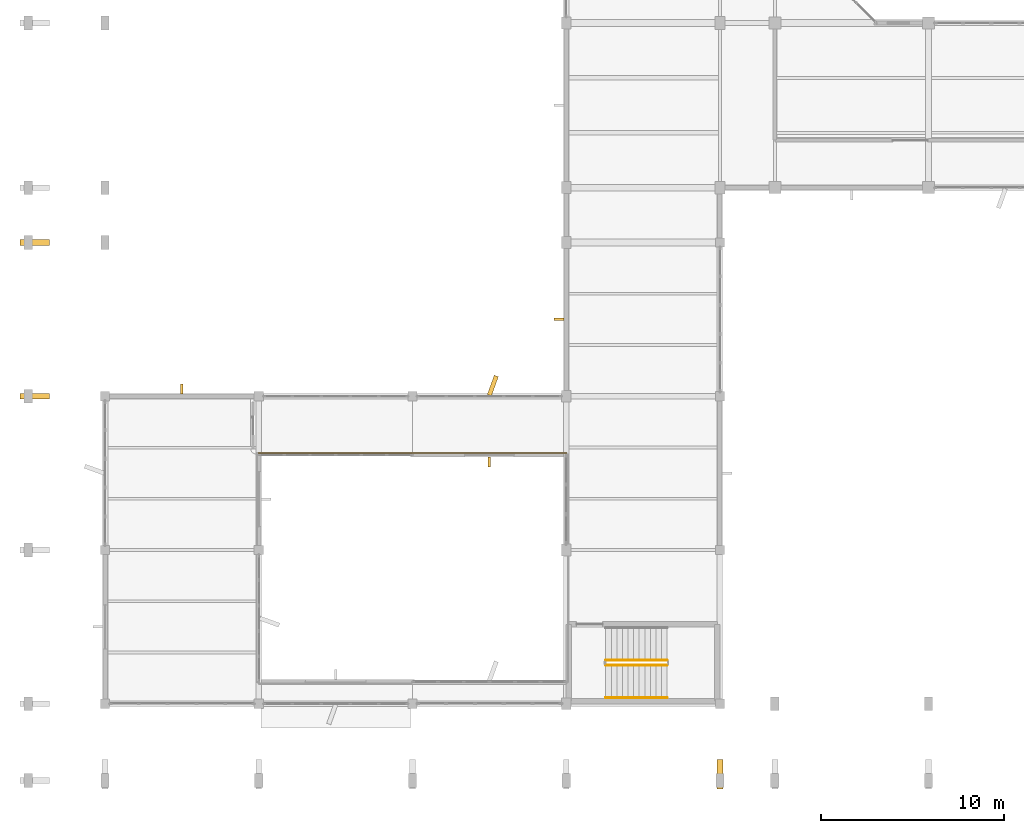
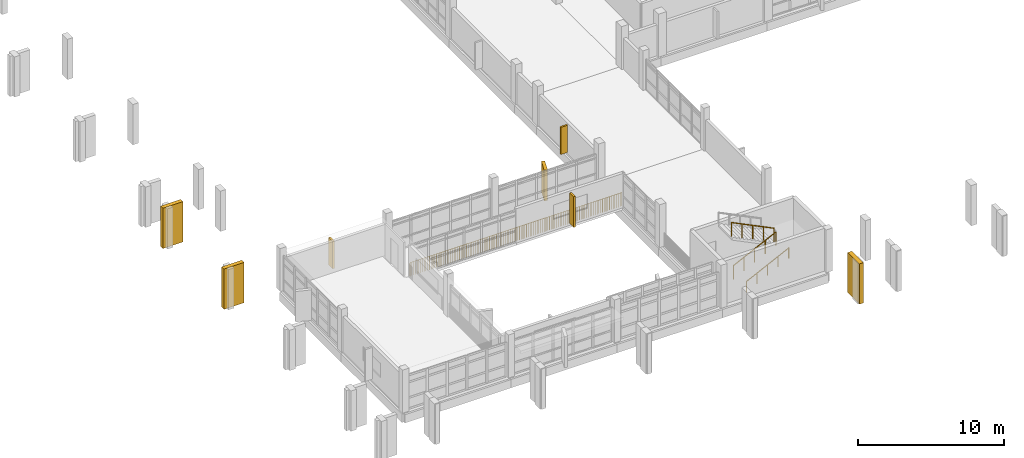
# One storey, part 77 of 104: 4 coverings, 4 railings, 3 shading devices.
"""IFC4 building model written with IfcOpenShell, lengths in metres."""

from ifc_helpers import new_model, si_unit, direction, frame, origin, origin_2d, place, context, subcontext, project, spatial, rectangle, circle, extrude, material, layer, layer_set, type_object, element, save


model = new_model("IFC4")

# Units and contexts
model_context = context("Model", 3, precision=1e-05, world=origin(), true_north=direction((0.0, 1.0)))
body_context = subcontext(model_context, "Body", "Model", "MODEL_VIEW")
ifc_project = project(units=[si_unit("LENGTHUNIT", "METRE"), si_unit("AREAUNIT", "SQUARE_METRE"), si_unit("VOLUMEUNIT", "CUBIC_METRE"), si_unit("PLANEANGLEUNIT", "RADIAN"), si_unit("MASSUNIT", "GRAM", prefix="KILO")], contexts=[model_context])

# Site, building, storey
site_placement = place(None, origin())
site = spatial("IfcSite", under=ifc_project, at=site_placement, CompositionType="ELEMENT")
building_placement = place(site_placement, origin())
building = spatial("IfcBuilding", under=site, at=building_placement, Name="Vanh Quang Courtyard School", CompositionType="ELEMENT")
storey_placement = place(building_placement, frame((0.0, 0.0, 4.199951171875)))
storey = spatial("IfcBuildingStorey", under=building, at=storey_placement, Name="L01", CompositionType="ELEMENT", Elevation=4.199951171875)

# Coverings
ifc_material_1 = material(Name="Board-marked precast concrete C40/50", Category="concrete")
ifc_layer = layer(ifc_material_1, 0.239990234375)
ifc_layer_set = layer_set([ifc_layer], Name="Board-marked precast concrete C40/50")
covering_type = type_object("IfcCoveringType", Name="COV-HOOD-CONC", PredefinedType="CLADDING", material=ifc_layer_set)
covering_placement = place(storey_placement, frame((25.389892578125, 21.5849609375, 0.0), z_axis=(0.0, 0.0, 1.0), x_axis=(0.340379550213, 0.94028812701, 0.0)))
element("IfcCovering", 1, at=covering_placement, inside=storey, type_object=covering_type, Name="Covering CH-01 (L01)", PredefinedType="CLADDING", context=body_context, shape_type="SweptSolid", body=[
    extrude(rectangle(XDim=1.11669921875, YDim=0.239990234375, at=origin_2d()), origin(), (0.0, 0.0, 1.0), 2.56005859375),
])
for number, where, z_axis, x_axis, name in (
    (2, (0.35009765625, 21.0, 0.0), (0.0, 0.0, 1.0), (1.0, 0.0, 0.0), "Covering CH-01 (L01)"),
    (3, (0.35009765625, 29.39990234375, 0.0), (0.0, 0.0, 1.0), (1.0, 0.0, 0.0), "Covering CH-01 (L01)"),
    (4, (37.800048828125, 0.35009765625, 0.0), (0.0, 0.0, 1.0), (0.0, 1.0, 0.0), "Covering CH-01 (L01)"),
):
    element("IfcCovering", number, at=place(storey_placement, frame(where, z_axis=z_axis, x_axis=x_axis)), inside=storey, type_object=covering_type, Name=name, PredefinedType="CLADDING", context=body_context, shape_type="SweptSolid", body=[
        extrude(rectangle(XDim=1.60009765625, YDim=0.320068359375, at=origin_2d()), origin(), (0.0, 0.0, 1.0), 3.3798828125),
    ])

# Railings
ifc_material_2 = material(Name="Galvanised painted steel EN 10025-2 S355J2", Category="steel")
railing_type_1 = type_object("IfcRailingType", Name="RAIL-GUARD-1150", PredefinedType="BALUSTRADE", material=ifc_material_2)
railing_1_placement = place(storey_placement, frame((29.39990234375, 17.89990234375, 0.0)))
element("IfcRailing", 5, at=railing_1_placement, inside=storey, type_object=railing_type_1, Name="Railing GR-01 (L01)", PredefinedType="BALUSTRADE", context=body_context, shape_type="SweptSolid", body=[
    extrude(circle(Radius=0.02392578125, at=origin_2d()), frame((0.0, 0.0, 1.1259765625), z_axis=(-1.0, 0.0, 0.0), x_axis=(0.0, -1.0, 0.0)), (0.0, 0.0, 1.0), 16.7998046875),
    extrude(circle(Radius=0.02099609375, at=origin_2d()), origin(), (0.0, 0.0, 1.0), 1.101806640625),
    extrude(circle(Radius=0.02099609375, at=origin_2d()), frame((-0.139892578125, 0.0, 0.0)), (0.0, 0.0, 1.0), 1.101806640625),
    extrude(circle(Radius=0.02099609375, at=origin_2d()), frame((-0.280029296875, 0.0, 0.0)), (0.0, 0.0, 1.0), 1.101806640625),
    extrude(circle(Radius=0.02099609375, at=origin_2d()), frame((-0.419921875, 0.0, 0.0)), (0.0, 0.0, 1.0), 1.101806640625),
    extrude(circle(Radius=0.02099609375, at=origin_2d()), frame((-0.56005859375, 0.0, 0.0)), (0.0, 0.0, 1.0), 1.101806640625),
    extrude(circle(Radius=0.02099609375, at=origin_2d()), frame((-0.699951171875, 0.0, 0.0)), (0.0, 0.0, 1.0), 1.101806640625),
    extrude(circle(Radius=0.02099609375, at=origin_2d()), frame((-0.840087890625, 0.0, 0.0)), (0.0, 0.0, 1.0), 1.101806640625),
    extrude(circle(Radius=0.02099609375, at=origin_2d()), frame((-0.97998046875, 0.0, 0.0)), (0.0, 0.0, 1.0), 1.101806640625),
    extrude(circle(Radius=0.02099609375, at=origin_2d()), frame((-1.119873046875, 0.0, 0.0)), (0.0, 0.0, 1.0), 1.101806640625),
    extrude(circle(Radius=0.02099609375, at=origin_2d()), frame((-1.260009765625, 0.0, 0.0)), (0.0, 0.0, 1.0), 1.101806640625),
    extrude(circle(Radius=0.02099609375, at=origin_2d()), frame((-1.39990234375, 0.0, 0.0)), (0.0, 0.0, 1.0), 1.101806640625),
    extrude(circle(Radius=0.02099609375, at=origin_2d()), frame((-1.5400390625, 0.0, 0.0)), (0.0, 0.0, 1.0), 1.101806640625),
    extrude(circle(Radius=0.02099609375, at=origin_2d()), frame((-1.679931640625, 0.0, 0.0)), (0.0, 0.0, 1.0), 1.101806640625),
    extrude(circle(Radius=0.02099609375, at=origin_2d()), frame((-1.820068359375, 0.0, 0.0)), (0.0, 0.0, 1.0), 1.101806640625),
    extrude(circle(Radius=0.02099609375, at=origin_2d()), frame((-1.9599609375, 0.0, 0.0)), (0.0, 0.0, 1.0), 1.101806640625),
    extrude(circle(Radius=0.02099609375, at=origin_2d()), frame((-2.10009765625, 0.0, 0.0)), (0.0, 0.0, 1.0), 1.101806640625),
    extrude(circle(Radius=0.02099609375, at=origin_2d()), frame((-2.239990234375, 0.0, 0.0)), (0.0, 0.0, 1.0), 1.101806640625),
    extrude(circle(Radius=0.02099609375, at=origin_2d()), frame((-2.3798828125, 0.0, 0.0)), (0.0, 0.0, 1.0), 1.101806640625),
    extrude(circle(Radius=0.02099609375, at=origin_2d()), frame((-2.52001953125, 0.0, 0.0)), (0.0, 0.0, 1.0), 1.101806640625),
    extrude(circle(Radius=0.02099609375, at=origin_2d()), frame((-2.659912109375, 0.0, 0.0)), (0.0, 0.0, 1.0), 1.101806640625),
    extrude(circle(Radius=0.02099609375, at=origin_2d()), frame((-2.800048828125, 0.0, 0.0)), (0.0, 0.0, 1.0), 1.101806640625),
    extrude(circle(Radius=0.02099609375, at=origin_2d()), frame((-2.93994140625, 0.0, 0.0)), (0.0, 0.0, 1.0), 1.101806640625),
    extrude(circle(Radius=0.02099609375, at=origin_2d()), frame((-3.080078125, 0.0, 0.0)), (0.0, 0.0, 1.0), 1.101806640625),
    extrude(circle(Radius=0.02099609375, at=origin_2d()), frame((-3.219970703125, 0.0, 0.0)), (0.0, 0.0, 1.0), 1.101806640625),
    extrude(circle(Radius=0.02099609375, at=origin_2d()), frame((-3.35986328125, 0.0, 0.0)), (0.0, 0.0, 1.0), 1.101806640625),
    extrude(circle(Radius=0.02099609375, at=origin_2d()), frame((-3.5, 0.0, 0.0)), (0.0, 0.0, 1.0), 1.101806640625),
    extrude(circle(Radius=0.02099609375, at=origin_2d()), frame((-3.639892578125, 0.0, 0.0)), (0.0, 0.0, 1.0), 1.101806640625),
    extrude(circle(Radius=0.02099609375, at=origin_2d()), frame((-3.780029296875, 0.0, 0.0)), (0.0, 0.0, 1.0), 1.101806640625),
    extrude(circle(Radius=0.02099609375, at=origin_2d()), frame((-3.919921875, 0.0, 0.0)), (0.0, 0.0, 1.0), 1.101806640625),
    extrude(circle(Radius=0.02099609375, at=origin_2d()), frame((-4.06005859375, 0.0, 0.0)), (0.0, 0.0, 1.0), 1.101806640625),
    extrude(circle(Radius=0.02099609375, at=origin_2d()), frame((-4.199951171875, 0.0, 0.0)), (0.0, 0.0, 1.0), 1.101806640625),
    extrude(circle(Radius=0.02099609375, at=origin_2d()), frame((-4.33984375, 0.0, 0.0)), (0.0, 0.0, 1.0), 1.101806640625),
    extrude(circle(Radius=0.02099609375, at=origin_2d()), frame((-4.47998046875, 0.0, 0.0)), (0.0, 0.0, 1.0), 1.101806640625),
    extrude(circle(Radius=0.02099609375, at=origin_2d()), frame((-4.619873046875, 0.0, 0.0)), (0.0, 0.0, 1.0), 1.101806640625),
    extrude(circle(Radius=0.02099609375, at=origin_2d()), frame((-4.760009765625, 0.0, 0.0)), (0.0, 0.0, 1.0), 1.101806640625),
    extrude(circle(Radius=0.02099609375, at=origin_2d()), frame((-4.89990234375, 0.0, 0.0)), (0.0, 0.0, 1.0), 1.101806640625),
    extrude(circle(Radius=0.02099609375, at=origin_2d()), frame((-5.0400390625, 0.0, 0.0)), (0.0, 0.0, 1.0), 1.101806640625),
    extrude(circle(Radius=0.02099609375, at=origin_2d()), frame((-5.179931640625, 0.0, 0.0)), (0.0, 0.0, 1.0), 1.101806640625),
    extrude(circle(Radius=0.02099609375, at=origin_2d()), frame((-5.31982421875, 0.0, 0.0)), (0.0, 0.0, 1.0), 1.101806640625),
    extrude(circle(Radius=0.02099609375, at=origin_2d()), frame((-5.4599609375, 0.0, 0.0)), (0.0, 0.0, 1.0), 1.101806640625),
    extrude(circle(Radius=0.02099609375, at=origin_2d()), frame((-5.599853515625, 0.0, 0.0)), (0.0, 0.0, 1.0), 1.101806640625),
    extrude(circle(Radius=0.02099609375, at=origin_2d()), frame((-5.739990234375, 0.0, 0.0)), (0.0, 0.0, 1.0), 1.101806640625),
    extrude(circle(Radius=0.02099609375, at=origin_2d()), frame((-5.8798828125, 0.0, 0.0)), (0.0, 0.0, 1.0), 1.101806640625),
    extrude(circle(Radius=0.02099609375, at=origin_2d()), frame((-6.02001953125, 0.0, 0.0)), (0.0, 0.0, 1.0), 1.101806640625),
    extrude(circle(Radius=0.02099609375, at=origin_2d()), frame((-6.159912109375, 0.0, 0.0)), (0.0, 0.0, 1.0), 1.101806640625),
    extrude(circle(Radius=0.02099609375, at=origin_2d()), frame((-6.2998046875, 0.0, 0.0)), (0.0, 0.0, 1.0), 1.101806640625),
    extrude(circle(Radius=0.02099609375, at=origin_2d()), frame((-6.43994140625, 0.0, 0.0)), (0.0, 0.0, 1.0), 1.101806640625),
    extrude(circle(Radius=0.02099609375, at=origin_2d()), frame((-6.579833984375, 0.0, 0.0)), (0.0, 0.0, 1.0), 1.101806640625),
    extrude(circle(Radius=0.02099609375, at=origin_2d()), frame((-6.719970703125, 0.0, 0.0)), (0.0, 0.0, 1.0), 1.101806640625),
    extrude(circle(Radius=0.02099609375, at=origin_2d()), frame((-6.85986328125, 0.0, 0.0)), (0.0, 0.0, 1.0), 1.101806640625),
    extrude(circle(Radius=0.02099609375, at=origin_2d()), frame((-7.0, 0.0, 0.0)), (0.0, 0.0, 1.0), 1.101806640625),
    extrude(circle(Radius=0.02099609375, at=origin_2d()), frame((-7.139892578125, 0.0, 0.0)), (0.0, 0.0, 1.0), 1.101806640625),
    extrude(circle(Radius=0.02099609375, at=origin_2d()), frame((-7.280029296875, 0.0, 0.0)), (0.0, 0.0, 1.0), 1.101806640625),
    extrude(circle(Radius=0.02099609375, at=origin_2d()), frame((-7.419921875, 0.0, 0.0)), (0.0, 0.0, 1.0), 1.101806640625),
    extrude(circle(Radius=0.02099609375, at=origin_2d()), frame((-7.559814453125, 0.0, 0.0)), (0.0, 0.0, 1.0), 1.101806640625),
    extrude(circle(Radius=0.02099609375, at=origin_2d()), frame((-7.699951171875, 0.0, 0.0)), (0.0, 0.0, 1.0), 1.101806640625),
    extrude(circle(Radius=0.02099609375, at=origin_2d()), frame((-7.83984375, 0.0, 0.0)), (0.0, 0.0, 1.0), 1.101806640625),
    extrude(circle(Radius=0.02099609375, at=origin_2d()), frame((-7.97998046875, 0.0, 0.0)), (0.0, 0.0, 1.0), 1.101806640625),
    extrude(circle(Radius=0.02099609375, at=origin_2d()), frame((-8.119873046875, 0.0, 0.0)), (0.0, 0.0, 1.0), 1.101806640625),
    extrude(circle(Radius=0.02099609375, at=origin_2d()), frame((-8.260009765625, 0.0, 0.0)), (0.0, 0.0, 1.0), 1.101806640625),
    extrude(circle(Radius=0.02099609375, at=origin_2d()), frame((-8.39990234375, 0.0, 0.0)), (0.0, 0.0, 1.0), 1.101806640625),
    extrude(circle(Radius=0.02099609375, at=origin_2d()), frame((-8.539794921875, 0.0, 0.0)), (0.0, 0.0, 1.0), 1.101806640625),
    extrude(circle(Radius=0.02099609375, at=origin_2d()), frame((-8.679931640625, 0.0, 0.0)), (0.0, 0.0, 1.0), 1.101806640625),
    extrude(circle(Radius=0.02099609375, at=origin_2d()), frame((-8.81982421875, 0.0, 0.0)), (0.0, 0.0, 1.0), 1.101806640625),
    extrude(circle(Radius=0.02099609375, at=origin_2d()), frame((-8.9599609375, 0.0, 0.0)), (0.0, 0.0, 1.0), 1.101806640625),
    extrude(circle(Radius=0.02099609375, at=origin_2d()), frame((-9.099853515625, 0.0, 0.0)), (0.0, 0.0, 1.0), 1.101806640625),
    extrude(circle(Radius=0.02099609375, at=origin_2d()), frame((-9.239990234375, 0.0, 0.0)), (0.0, 0.0, 1.0), 1.101806640625),
    extrude(circle(Radius=0.02099609375, at=origin_2d()), frame((-9.3798828125, 0.0, 0.0)), (0.0, 0.0, 1.0), 1.101806640625),
    extrude(circle(Radius=0.02099609375, at=origin_2d()), frame((-9.519775390625, 0.0, 0.0)), (0.0, 0.0, 1.0), 1.101806640625),
    extrude(circle(Radius=0.02099609375, at=origin_2d()), frame((-9.659912109375, 0.0, 0.0)), (0.0, 0.0, 1.0), 1.101806640625),
    extrude(circle(Radius=0.02099609375, at=origin_2d()), frame((-9.7998046875, 0.0, 0.0)), (0.0, 0.0, 1.0), 1.101806640625),
    extrude(circle(Radius=0.02099609375, at=origin_2d()), frame((-9.93994140625, 0.0, 0.0)), (0.0, 0.0, 1.0), 1.101806640625),
    extrude(circle(Radius=0.02099609375, at=origin_2d()), frame((-10.079833984375, 0.0, 0.0)), (0.0, 0.0, 1.0), 1.101806640625),
    extrude(circle(Radius=0.02099609375, at=origin_2d()), frame((-10.219970703125, 0.0, 0.0)), (0.0, 0.0, 1.0), 1.101806640625),
    extrude(circle(Radius=0.02099609375, at=origin_2d()), frame((-10.35986328125, 0.0, 0.0)), (0.0, 0.0, 1.0), 1.101806640625),
    extrude(circle(Radius=0.02099609375, at=origin_2d()), frame((-10.5, 0.0, 0.0)), (0.0, 0.0, 1.0), 1.101806640625),
    extrude(circle(Radius=0.02099609375, at=origin_2d()), frame((-10.639892578125, 0.0, 0.0)), (0.0, 0.0, 1.0), 1.101806640625),
    extrude(circle(Radius=0.02099609375, at=origin_2d()), frame((-10.77978515625, 0.0, 0.0)), (0.0, 0.0, 1.0), 1.101806640625),
    extrude(circle(Radius=0.02099609375, at=origin_2d()), frame((-10.919921875, 0.0, 0.0)), (0.0, 0.0, 1.0), 1.101806640625),
    extrude(circle(Radius=0.02099609375, at=origin_2d()), frame((-11.059814453125, 0.0, 0.0)), (0.0, 0.0, 1.0), 1.101806640625),
    extrude(circle(Radius=0.02099609375, at=origin_2d()), frame((-11.199951171875, 0.0, 0.0)), (0.0, 0.0, 1.0), 1.101806640625),
    extrude(circle(Radius=0.02099609375, at=origin_2d()), frame((-11.33984375, 0.0, 0.0)), (0.0, 0.0, 1.0), 1.101806640625),
    extrude(circle(Radius=0.02099609375, at=origin_2d()), frame((-11.47998046875, 0.0, 0.0)), (0.0, 0.0, 1.0), 1.101806640625),
    extrude(circle(Radius=0.02099609375, at=origin_2d()), frame((-11.619873046875, 0.0, 0.0)), (0.0, 0.0, 1.0), 1.101806640625),
    extrude(circle(Radius=0.02099609375, at=origin_2d()), frame((-11.759765625, 0.0, 0.0)), (0.0, 0.0, 1.0), 1.101806640625),
    extrude(circle(Radius=0.02099609375, at=origin_2d()), frame((-11.89990234375, 0.0, 0.0)), (0.0, 0.0, 1.0), 1.101806640625),
    extrude(circle(Radius=0.02099609375, at=origin_2d()), frame((-12.039794921875, 0.0, 0.0)), (0.0, 0.0, 1.0), 1.101806640625),
    extrude(circle(Radius=0.02099609375, at=origin_2d()), frame((-12.179931640625, 0.0, 0.0)), (0.0, 0.0, 1.0), 1.101806640625),
    extrude(circle(Radius=0.02099609375, at=origin_2d()), frame((-12.31982421875, 0.0, 0.0)), (0.0, 0.0, 1.0), 1.101806640625),
    extrude(circle(Radius=0.02099609375, at=origin_2d()), frame((-12.4599609375, 0.0, 0.0)), (0.0, 0.0, 1.0), 1.101806640625),
    extrude(circle(Radius=0.02099609375, at=origin_2d()), frame((-12.599853515625, 0.0, 0.0)), (0.0, 0.0, 1.0), 1.101806640625),
    extrude(circle(Radius=0.02099609375, at=origin_2d()), frame((-12.73974609375, 0.0, 0.0)), (0.0, 0.0, 1.0), 1.101806640625),
    extrude(circle(Radius=0.02099609375, at=origin_2d()), frame((-12.8798828125, 0.0, 0.0)), (0.0, 0.0, 1.0), 1.101806640625),
    extrude(circle(Radius=0.02099609375, at=origin_2d()), frame((-13.019775390625, 0.0, 0.0)), (0.0, 0.0, 1.0), 1.101806640625),
    extrude(circle(Radius=0.02099609375, at=origin_2d()), frame((-13.159912109375, 0.0, 0.0)), (0.0, 0.0, 1.0), 1.101806640625),
    extrude(circle(Radius=0.02099609375, at=origin_2d()), frame((-13.2998046875, 0.0, 0.0)), (0.0, 0.0, 1.0), 1.101806640625),
    extrude(circle(Radius=0.02099609375, at=origin_2d()), frame((-13.43994140625, 0.0, 0.0)), (0.0, 0.0, 1.0), 1.101806640625),
    extrude(circle(Radius=0.02099609375, at=origin_2d()), frame((-13.579833984375, 0.0, 0.0)), (0.0, 0.0, 1.0), 1.101806640625),
    extrude(circle(Radius=0.02099609375, at=origin_2d()), frame((-13.7197265625, 0.0, 0.0)), (0.0, 0.0, 1.0), 1.101806640625),
    extrude(circle(Radius=0.02099609375, at=origin_2d()), frame((-13.85986328125, 0.0, 0.0)), (0.0, 0.0, 1.0), 1.101806640625),
    extrude(circle(Radius=0.02099609375, at=origin_2d()), frame((-13.999755859375, 0.0, 0.0)), (0.0, 0.0, 1.0), 1.101806640625),
    extrude(circle(Radius=0.02099609375, at=origin_2d()), frame((-14.139892578125, 0.0, 0.0)), (0.0, 0.0, 1.0), 1.101806640625),
    extrude(circle(Radius=0.02099609375, at=origin_2d()), frame((-14.27978515625, 0.0, 0.0)), (0.0, 0.0, 1.0), 1.101806640625),
    extrude(circle(Radius=0.02099609375, at=origin_2d()), frame((-14.419921875, 0.0, 0.0)), (0.0, 0.0, 1.0), 1.101806640625),
    extrude(circle(Radius=0.02099609375, at=origin_2d()), frame((-14.559814453125, 0.0, 0.0)), (0.0, 0.0, 1.0), 1.101806640625),
    extrude(circle(Radius=0.02099609375, at=origin_2d()), frame((-14.69970703125, 0.0, 0.0)), (0.0, 0.0, 1.0), 1.101806640625),
    extrude(circle(Radius=0.02099609375, at=origin_2d()), frame((-14.83984375, 0.0, 0.0)), (0.0, 0.0, 1.0), 1.101806640625),
    extrude(circle(Radius=0.02099609375, at=origin_2d()), frame((-14.979736328125, 0.0, 0.0)), (0.0, 0.0, 1.0), 1.101806640625),
    extrude(circle(Radius=0.02099609375, at=origin_2d()), frame((-15.119873046875, 0.0, 0.0)), (0.0, 0.0, 1.0), 1.101806640625),
    extrude(circle(Radius=0.02099609375, at=origin_2d()), frame((-15.259765625, 0.0, 0.0)), (0.0, 0.0, 1.0), 1.101806640625),
    extrude(circle(Radius=0.02099609375, at=origin_2d()), frame((-15.39990234375, 0.0, 0.0)), (0.0, 0.0, 1.0), 1.101806640625),
    extrude(circle(Radius=0.02099609375, at=origin_2d()), frame((-15.539794921875, 0.0, 0.0)), (0.0, 0.0, 1.0), 1.101806640625),
    extrude(circle(Radius=0.02099609375, at=origin_2d()), frame((-15.679931640625, 0.0, 0.0)), (0.0, 0.0, 1.0), 1.101806640625),
    extrude(circle(Radius=0.02099609375, at=origin_2d()), frame((-15.81982421875, 0.0, 0.0)), (0.0, 0.0, 1.0), 1.101806640625),
    extrude(circle(Radius=0.02099609375, at=origin_2d()), frame((-15.959716796875, 0.0, 0.0)), (0.0, 0.0, 1.0), 1.101806640625),
    extrude(circle(Radius=0.02099609375, at=origin_2d()), frame((-16.099853515625, 0.0, 0.0)), (0.0, 0.0, 1.0), 1.101806640625),
    extrude(circle(Radius=0.02099609375, at=origin_2d()), frame((-16.23974609375, 0.0, 0.0)), (0.0, 0.0, 1.0), 1.101806640625),
    extrude(circle(Radius=0.02099609375, at=origin_2d()), frame((-16.3798828125, 0.0, 0.0)), (0.0, 0.0, 1.0), 1.101806640625),
    extrude(circle(Radius=0.02099609375, at=origin_2d()), frame((-16.519775390625, 0.0, 0.0)), (0.0, 0.0, 1.0), 1.101806640625),
    extrude(circle(Radius=0.02099609375, at=origin_2d()), frame((-16.659912109375, 0.0, 0.0)), (0.0, 0.0, 1.0), 1.101806640625),
    extrude(circle(Radius=0.02099609375, at=origin_2d()), frame((-16.7998046875, 0.0, 0.0)), (0.0, 0.0, 1.0), 1.101806640625),
])
railing_2_placement = place(storey_placement, frame((31.56005859375, 6.31005859375, 0.150146484375)))
element("IfcRailing", 6, at=railing_2_placement, inside=storey, type_object=railing_type_1, Name="L01 ST-06 stair guard 1", PredefinedType="BALUSTRADE", context=body_context, shape_type="SweptSolid", body=[
    extrude(circle(Radius=0.02392578125, at=origin_2d()), frame((0.0, 0.0, 1.1259765625), z_axis=(0.897359292542, 0.0, 0.441300691239), x_axis=(0.0, 1.0, 0.0)), (0.0, 0.0, 1.0), 3.73876953125),
    extrude(circle(Radius=0.02099609375, at=origin_2d()), origin(), (0.0, 0.0, 1.0), 1.101806640625),
    extrude(circle(Radius=0.02099609375, at=origin_2d()), frame((0.8388671875, 0.0, 0.41259765625)), (0.0, 0.0, 1.0), 1.101806640625),
    extrude(circle(Radius=0.02099609375, at=origin_2d()), frame((1.677490234375, 0.0, 0.824951171875)), (0.0, 0.0, 1.0), 1.101806640625),
    extrude(circle(Radius=0.02099609375, at=origin_2d()), frame((2.51611328125, 0.0, 1.2373046875)), (0.0, 0.0, 1.0), 1.101806640625),
    extrude(circle(Radius=0.02099609375, at=origin_2d()), frame((3.35498046875, 0.0, 1.64990234375)), (0.0, 0.0, 1.0), 1.101806640625),
])
railing_3_placement = place(storey_placement, frame((34.9150390625, 6.570068359375, 1.949951171875)))
element("IfcRailing", 7, at=railing_3_placement, inside=storey, type_object=railing_type_1, Name="L01 ST-06 stair guard 3", PredefinedType="BALUSTRADE", context=body_context, shape_type="SweptSolid", body=[
    extrude(circle(Radius=0.02392578125, at=origin_2d()), frame((0.0, 0.0, 1.1259765625), z_axis=(-0.89733343241, 0.0, 0.441353272424), x_axis=(0.0, -1.0, 0.0)), (0.0, 0.0, 1.0), 3.73876953125),
    extrude(circle(Radius=0.02099609375, at=origin_2d()), origin(), (0.0, 0.0, 1.0), 1.101806640625),
    extrude(circle(Radius=0.02099609375, at=origin_2d()), frame((-0.8388671875, 0.0, 0.41259765625)), (0.0, 0.0, 1.0), 1.101806640625),
    extrude(circle(Radius=0.02099609375, at=origin_2d()), frame((-1.677490234375, 0.0, 0.8251953125)), (0.0, 0.0, 1.0), 1.101806640625),
    extrude(circle(Radius=0.02099609375, at=origin_2d()), frame((-2.51611328125, 0.0, 1.237548828125)), (0.0, 0.0, 1.0), 1.101806640625),
    extrude(circle(Radius=0.02099609375, at=origin_2d()), frame((-3.35498046875, 0.0, 1.650146484375)), (0.0, 0.0, 1.0), 1.101806640625),
])
ifc_material_3 = material(Name="Brushed stainless steel", Category="steel")
railing_type_2 = type_object("IfcRailingType", Name="RAIL-HAND-900", PredefinedType="HANDRAIL", material=ifc_material_3)
railing_4_placement = place(storey_placement, frame((31.56005859375, 4.530029296875, 0.150146484375)))
element("IfcRailing", 8, at=railing_4_placement, inside=storey, type_object=railing_type_2, Name="L01 ST-06 stair handrail 1", PredefinedType="HANDRAIL", context=body_context, shape_type="SweptSolid", body=[
    extrude(circle(Radius=0.02392578125, at=origin_2d()), frame((0.0, 0.0, 0.8759765625), z_axis=(0.897359292542, 0.0, 0.441300691239), x_axis=(0.0, 1.0, 0.0)), (0.0, 0.0, 1.0), 3.73876953125),
    extrude(circle(Radius=0.02099609375, at=origin_2d()), origin(), (0.0, 0.0, 1.0), 0.851806640625),
    extrude(circle(Radius=0.02099609375, at=origin_2d()), frame((0.8388671875, 0.0, 0.41259765625)), (0.0, 0.0, 1.0), 0.851806640625),
    extrude(circle(Radius=0.02099609375, at=origin_2d()), frame((1.677490234375, 0.0, 0.824951171875)), (0.0, 0.0, 1.0), 0.851806640625),
    extrude(circle(Radius=0.02099609375, at=origin_2d()), frame((2.51611328125, 0.0, 1.2373046875)), (0.0, 0.0, 1.0), 0.851806640625),
    extrude(circle(Radius=0.02099609375, at=origin_2d()), frame((3.35498046875, 0.0, 1.64990234375)), (0.0, 0.0, 1.0), 0.851806640625),
])

# Shading devices
shading_device_type = type_object("IfcShadingDeviceType", Name="SHD-FIN-CONCRETE", PredefinedType="USERDEFINED", material=ifc_material_1)
shading_device_1_placement = place(storey_placement, frame((29.0048828125, 25.199951171875, 0.14990234375), z_axis=(0.0, 0.0, 1.0), x_axis=(0.0, 1.0, 0.0)))
element("IfcShadingDevice", 9, at=shading_device_1_placement, inside=storey, type_object=shading_device_type, Name="Solar Shading SH-02 (L01)", ObjectType="Solar Shading SH-02 (L01)", PredefinedType="USERDEFINED", context=body_context, shape_type="SweptSolid", body=[
    extrude(rectangle(XDim=0.139892578125, YDim=0.550048828125, at=origin_2d()), origin(), (0.0, 0.0, 1.0), 2.280029296875),
])
shading_device_2_placement = place(storey_placement, frame((8.39990234375, 21.39501953125, 0.14990234375), z_axis=(0.0, 0.0, 1.0), x_axis=(1.0, 0.0, 0.0)))
element("IfcShadingDevice", 10, at=shading_device_2_placement, inside=storey, type_object=shading_device_type, Name="Solar Shading SH-02 (L01)", ObjectType="Solar Shading SH-02 (L01)", PredefinedType="USERDEFINED", context=body_context, shape_type="SweptSolid", body=[
    extrude(rectangle(XDim=0.139892578125, YDim=0.550048828125, at=origin_2d()), origin(), (0.0, 0.0, 1.0), 2.320068359375),
])
shading_device_3_placement = place(storey_placement, frame((25.199951171875, 17.405029296875, 0.14990234375), z_axis=(0.0, 0.0, 1.0), x_axis=(-1.0, 0.0, 0.0)))
element("IfcShadingDevice", 11, at=shading_device_3_placement, inside=storey, type_object=shading_device_type, Name="Solar Shading SH-02 (L01)", ObjectType="Solar Shading SH-02 (L01)", PredefinedType="USERDEFINED", context=body_context, shape_type="SweptSolid", body=[
    extrude(rectangle(XDim=0.139892578125, YDim=0.550048828125, at=origin_2d()), origin(), (0.0, 0.0, 1.0), 2.580078125),
])

save(model, "model.ifc")
